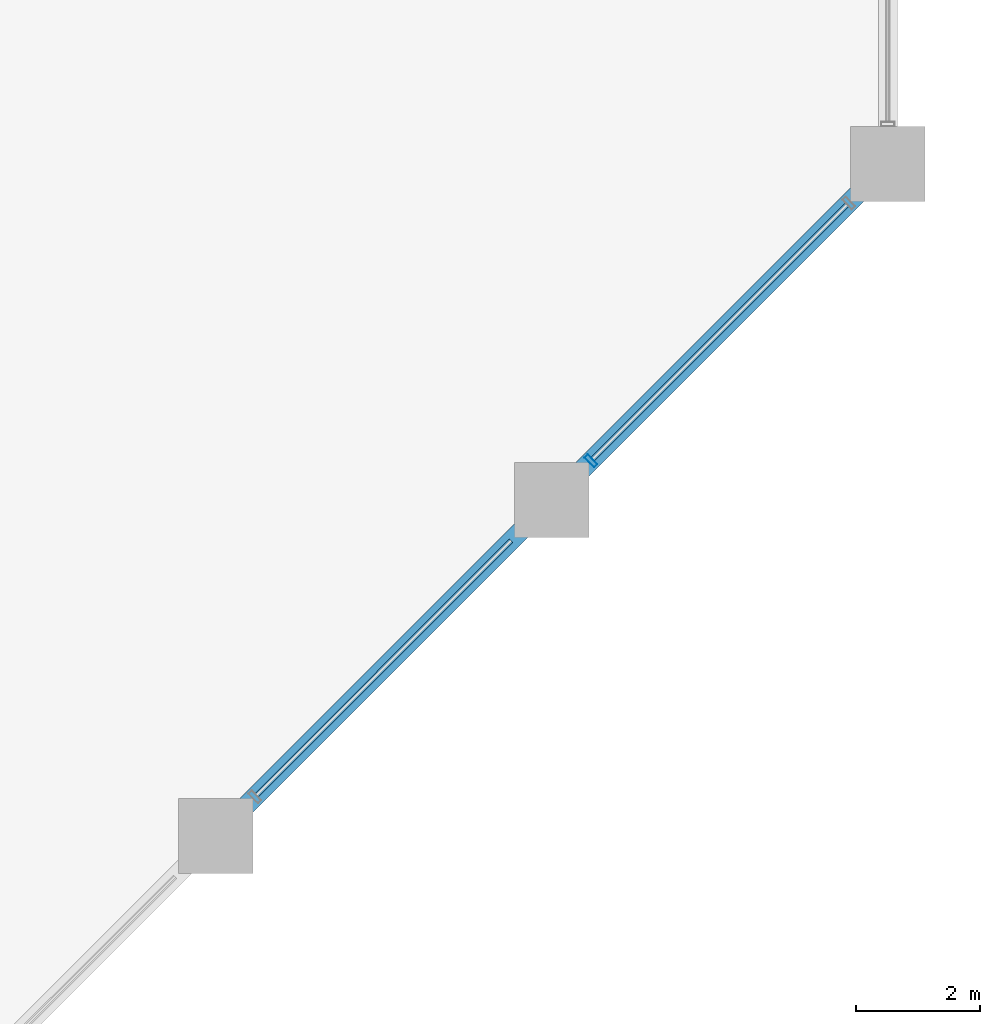
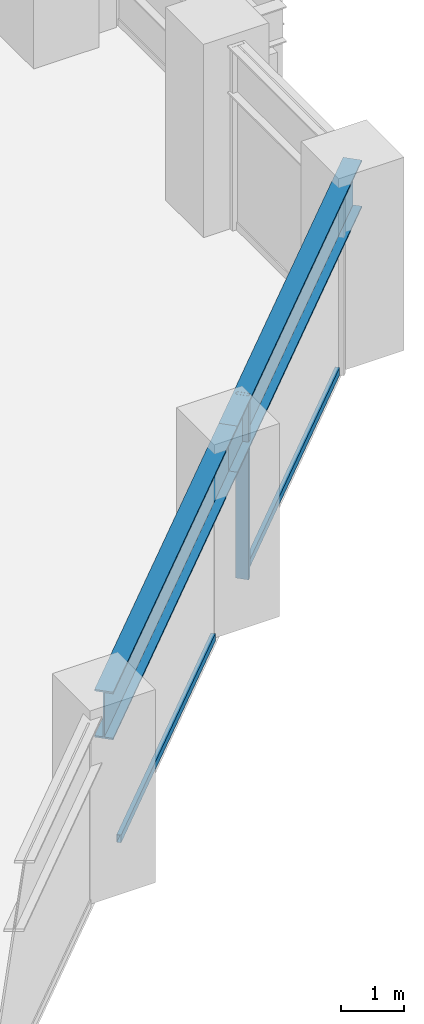
# One storey, part 9 of 27: 3 members, 2 beams, 1 element without a shape of its own.
"""IFC4 building model written with IfcOpenShell, lengths in metres."""

from ifc_helpers import new_model, si_unit, direction, frame, origin, origin_2d, place, context, subcontext, project, spatial, hollow_rectangle, i_section, extrude, material, layer, layer_set, material_profile, profile_set, type_object, element, aggregate, save


model = new_model("IFC4")

# Units and contexts
model_context = context("Model", 3, precision=1e-05, world=origin(), true_north=direction((0.0, 1.0)))
body_context = subcontext(model_context, "Body", "Model", "MODEL_VIEW")
ifc_project = project(units=[si_unit("LENGTHUNIT", "METRE"), si_unit("AREAUNIT", "SQUARE_METRE"), si_unit("VOLUMEUNIT", "CUBIC_METRE"), si_unit("PLANEANGLEUNIT", "RADIAN"), si_unit("MASSUNIT", "GRAM", prefix="KILO")], contexts=[model_context])

# Site, building, storey
site_placement = place(None, origin())
site = spatial("IfcSite", under=ifc_project, at=site_placement, CompositionType="ELEMENT")
building_placement = place(site_placement, origin())
building = spatial("IfcBuilding", under=site, at=building_placement, Name="Surkhivell Harbour Commons", CompositionType="ELEMENT")
storey_placement = place(building_placement, frame((0.0, 0.0, 56.25)))
storey = spatial("IfcBuildingStorey", under=building, at=storey_placement, Name="L14", CompositionType="ELEMENT", Elevation=56.25)

# Beams
ifc_material_1 = material(Name="Steel S460", Category="steel")
ifc_material_profile_1 = material_profile(ifc_material_1, i_section(OverallWidth=0.30810546875, OverallDepth=0.927001953125, WebThickness=0.01953125, FlangeThickness=0.031982421875, at=origin_2d()), Name="UB914x305x289")
ifc_profile_set_1 = profile_set([ifc_material_profile_1], Name="Steel S460")
beam_type = type_object("IfcBeamType", Name="BM-SPN-914B", PredefinedType="SPANDREL", material=ifc_profile_set_1)
for number, where, z_axis, x_axis, name in (
    (1, (21.60009765625, -4.300048828125, 3.1064453125), (0.707090796496, 0.707122765516, 0.0), (-0.707122765516, 0.707090796496, 0.0), "L14 Tube Spandrel (21.6,-4.3)"),
    (2, (27.0, 1.10009765625, 3.1064453125), (0.707106781187, 0.707106781187, 0.0), (-0.707106781187, 0.707106781187, 0.0), "L14 Tube Spandrel (27.0,1.1)"),
):
    element("IfcBeam", number, at=place(storey_placement, frame(where, z_axis=z_axis, x_axis=x_axis)), inside=storey, type_object=beam_type, Name=name, PredefinedType="SPANDREL", context=body_context, shape_type="SweptSolid", body=[
        extrude(i_section(OverallWidth=0.30810546875, OverallDepth=0.927001953125, WebThickness=0.01953125, FlangeThickness=0.031982421875, at=origin_2d()), origin(), (0.0, 0.0, 1.0), 7.63671875),
    ])

# Curtain wall, members
ifc_material_2 = material(Name="Anodised pale-metal aluminium and insulated glazing", Category="aluminium")
ifc_layer = layer(ifc_material_2, 0.219970703125)
ifc_layer_set = layer_set([ifc_layer], Name="Anodised pale-metal aluminium and insulated glazing")
curtain_wall_type = type_object("IfcCurtainWallType", Name="CW-SYS-Z1", PredefinedType="NOTDEFINED", material=ifc_layer_set)
curtain_wall_placement = place(storey_placement, origin())
curtain_wall = element("IfcCurtainWall", 3, at=curtain_wall_placement, inside=storey, type_object=curtain_wall_type, Name="L14 Curtain Wall CW-L14-E01", PredefinedType="NOTDEFINED")
ifc_material_3 = material(Name="Anodised pale-metal aluminium alloy 6063-T6", Category="aluminium")
ifc_material_profile_2 = material_profile(ifc_material_3, hollow_rectangle(XDim=0.074951171875, YDim=0.219970703125, WallThickness=0.00390625, at=origin_2d()), Name="ALU-MULL-75x220")
ifc_profile_set_2 = profile_set([ifc_material_profile_2], Name="Anodised pale-metal aluminium alloy 6063-T6")
member_type_1 = type_object("IfcMemberType", Name="CWM-220", PredefinedType="MULLION", material=ifc_profile_set_2)
member_1_placement = place(storey_placement, frame((27.628173828125, 1.728271484375, 0.0), z_axis=(0.0, 0.0, 1.0), x_axis=(0.707106781187, 0.707106781187, 0.0)))
member_1 = element("IfcMember", 4, at=member_1_placement, type_object=member_type_1, Name="CW-Z1 mullion 7", PredefinedType="MULLION", context=body_context, shape_type="SweptSolid", body=[
    extrude(hollow_rectangle(XDim=0.074951171875, YDim=0.219970703125, WallThickness=0.00390625, at=origin_2d()), origin(), (0.0, 0.0, 1.0), 3.570068359375),
])
ifc_material_profile_3 = material_profile(ifc_material_3, hollow_rectangle(XDim=0.074951171875, YDim=0.14990234375, WallThickness=0.00341796875, at=origin_2d()), Name="ALU-TRAN-75x150")
ifc_profile_set_3 = profile_set([ifc_material_profile_3], Name="Anodised pale-metal aluminium alloy 6063-T6")
member_type_2 = type_object("IfcMemberType", Name="CWT-150", PredefinedType="USERDEFINED", material=ifc_profile_set_3)
member_2_placement = place(storey_placement, frame((22.2548828125, -3.645263671875, 0.074951171875), z_axis=(0.707085678876, 0.707127882868, 0.0), x_axis=(-0.707127882868, 0.707085678876, 0.0)))
member_2 = element("IfcMember", 5, at=member_2_placement, type_object=member_type_2, Name="CW-Z1 transom 6.1", ObjectType="TRANSOM", PredefinedType="USERDEFINED", context=body_context, shape_type="SweptSolid", body=[
    extrude(hollow_rectangle(XDim=0.074951171875, YDim=0.14990234375, WallThickness=0.00341796875, at=origin_2d()), origin(), (0.0, 0.0, 1.0), 5.78466796875),
])
member_3_placement = place(storey_placement, frame((27.65478515625, 1.7548828125, 0.074951171875), z_axis=(0.707106781187, 0.707106781187, 0.0), x_axis=(-0.707106781187, 0.707106781187, 0.0)))
member_3 = element("IfcMember", 6, at=member_3_placement, type_object=member_type_2, Name="CW-Z1 transom 7.1", ObjectType="TRANSOM", PredefinedType="USERDEFINED", context=body_context, shape_type="SweptSolid", body=[
    extrude(hollow_rectangle(XDim=0.074951171875, YDim=0.14990234375, WallThickness=0.00341796875, at=origin_2d()), origin(), (0.0, 0.0, 1.0), 5.78466796875),
])
aggregate(curtain_wall, [member_2, member_1, member_3])

save(model, "model.ifc")
